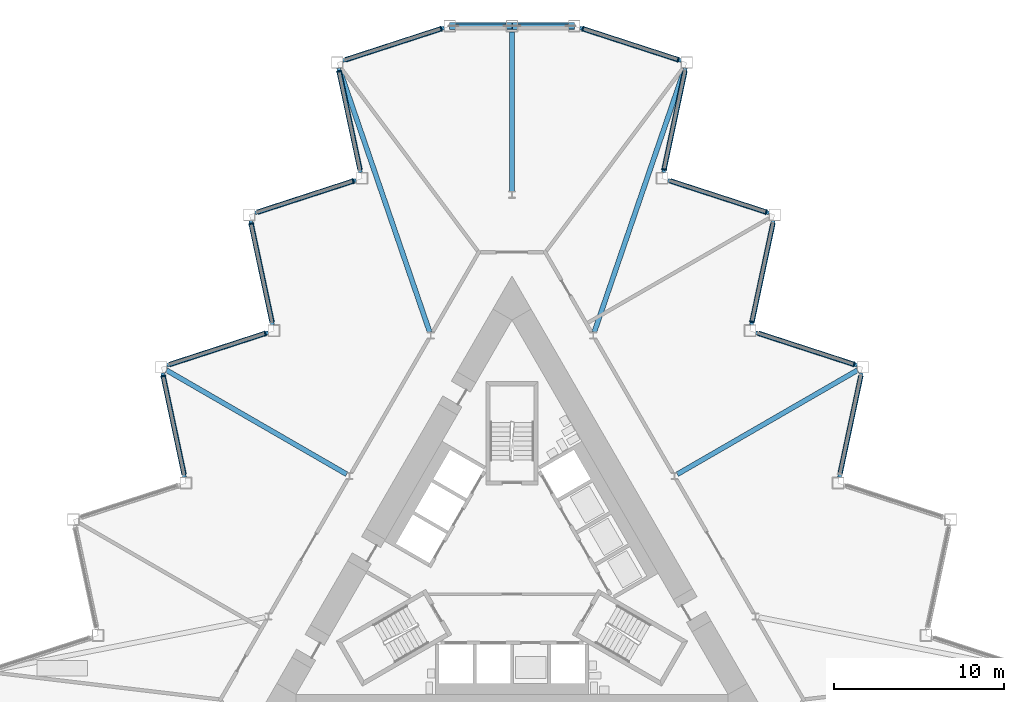
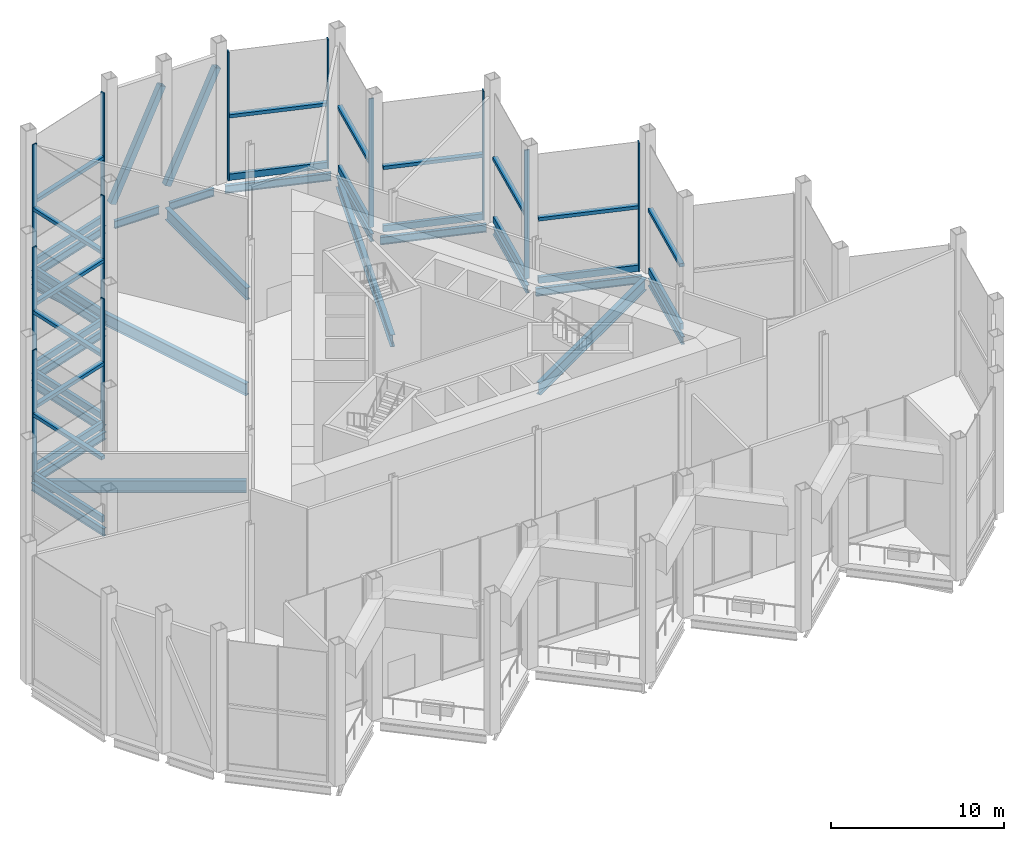
# One storey, part 6 of 17: 38 members, 19 beams, 2 elements without a shape of their own.
"""IFC4 building model written with IfcOpenShell, lengths in metres."""

from ifc_helpers import new_model, si_unit, direction, frame, origin, origin_2d, place, context, subcontext, project, spatial, rectangle, hollow_rectangle, i_section, extrude, material, layer, layer_set, material_profile, profile_set, type_object, element, aggregate, save


model = new_model("IFC4")

# Units and contexts
model_context = context("Model", 3, precision=1e-05, world=origin(), true_north=direction((0.0, 1.0)))
body_context = subcontext(model_context, "Body", "Model", "MODEL_VIEW")
ifc_project = project(units=[si_unit("LENGTHUNIT", "METRE"), si_unit("AREAUNIT", "SQUARE_METRE"), si_unit("VOLUMEUNIT", "CUBIC_METRE"), si_unit("PLANEANGLEUNIT", "RADIAN"), si_unit("MASSUNIT", "GRAM", prefix="KILO")], contexts=[model_context])

# Site, building, storey
site_placement = place(None, origin())
site = spatial("IfcSite", under=ifc_project, at=site_placement, CompositionType="ELEMENT")
building_placement = place(site_placement, origin())
building = spatial("IfcBuilding", under=site, at=building_placement, Name="Cormorant Prow Tower", CompositionType="ELEMENT")
storey_placement = place(building_placement, frame((0.0, 0.0, 277.800048828125)))
storey = spatial("IfcBuildingStorey", under=building, at=storey_placement, Name="L63", CompositionType="ELEMENT", Elevation=277.800048828125)

# Members
ifc_material_1 = material(Name="Structural steel ASTM A500 Gr C", Category="steel")
ifc_material_profile_1 = material_profile(ifc_material_1, hollow_rectangle(XDim=0.406494140625, YDim=0.406494140625, WallThickness=0.01171875, at=origin_2d()), Name="HSS16x16x1/2")
ifc_profile_set_1 = profile_set([ifc_material_profile_1], Name="Structural steel ASTM A500 Gr C")
member_type_1 = type_object("IfcMemberType", Name="Chamfer brace HSS16x16x1/2", PredefinedType="BRACE", material=ifc_profile_set_1)
for number, where, z_axis, x_axis, name in (
    (1, (0.16650390625, 32.073486328125, 0.958251953125), (0.421300546868, 0.0, 0.906921082128), (0.0, 1.0, 0.0), "Chamfer brace BR2 at N00 L63"),
    (2, (-3.50390625, 32.073486328125, 0.958251953125), (0.421300546868, 0.0, 0.906921082128), (0.0, 1.0, 0.0), "Chamfer brace BR2 at N01 L63"),
):
    element("IfcMember", number, at=place(storey_placement, frame(where, z_axis=z_axis, x_axis=x_axis)), inside=storey, type_object=member_type_1, Name=name, PredefinedType="BRACE", context=body_context, shape_type="SweptSolid", body=[
        extrude(hollow_rectangle(XDim=0.406494140625, YDim=0.406494140625, WallThickness=0.01171875, at=origin_2d()), origin(), (0.0, 0.0, 1.0), 7.921630859375),
    ])

# Beams
ifc_material_2 = material(Name="Structural steel ASTM A992 Gr 50", Category="steel")
ifc_material_profile_2 = material_profile(ifc_material_2, i_section(OverallWidth=0.29296875, OverallDepth=0.845703125, WebThickness=0.015380859375, FlangeThickness=0.0244140625, at=origin_2d()), Name="W33x141")
ifc_profile_set_2 = profile_set([ifc_material_profile_2], Name="Structural steel ASTM A992 Gr 50")
beam_type_1 = type_object("IfcBeamType", Name="Radial floor beam W33x141", PredefinedType="BEAM", material=ifc_profile_set_2)
beam_1_placement = place(storey_placement, frame((0.0, 22.320068359375, -0.77294921875), z_axis=(0.0, 1.0, 0.0), x_axis=(-1.0, 0.0, 0.0)))
element("IfcBeam", 3, at=beam_1_placement, inside=storey, type_object=beam_type_1, Name="Radial floor beam FB2 1 L63", PredefinedType="BEAM", context=body_context, shape_type="SweptSolid", body=[
    extrude(i_section(OverallWidth=0.29296875, OverallDepth=0.845703125, WebThickness=0.015380859375, FlangeThickness=0.0244140625, at=origin_2d()), origin(), (0.0, 0.0, 1.0), 9.4033203125),
])
beam_2_placement = place(storey_placement, frame((-4.85400390625, 14.013916015625, -0.77294921875), z_axis=(-0.324535507117, 0.945873514071, 0.0), x_axis=(-0.945873514071, -0.324535507117, 0.0)))
element("IfcBeam", 4, at=beam_2_placement, inside=storey, type_object=beam_type_1, Name="Radial floor beam FB2 2 L63", PredefinedType="BEAM", context=body_context, shape_type="SweptSolid", body=[
    extrude(i_section(OverallWidth=0.29296875, OverallDepth=0.845703125, WebThickness=0.015380859375, FlangeThickness=0.0244140625, at=origin_2d()), origin(), (0.0, 0.0, 1.0), 16.462158203125),
])
for number, where, z_axis, x_axis, name in (
    (5, (-9.751220703125, 5.6298828125, -0.77294921875), (-0.866021995826, 0.500005902711, 0.0), (-0.500005902711, -0.866021995826, 0.0), "Radial floor beam FB2 3 L63"),
    (6, (9.751220703125, 5.6298828125, -0.77294921875), (0.866021995826, 0.500005902711, 0.0), (-0.500005902711, 0.866021995826, 0.0), "Radial floor beam FB2 11 L63"),
):
    element("IfcBeam", number, at=place(storey_placement, frame(where, z_axis=z_axis, x_axis=x_axis)), inside=storey, type_object=beam_type_1, Name=name, PredefinedType="BEAM", context=body_context, shape_type="SweptSolid", body=[
        extrude(i_section(OverallWidth=0.29296875, OverallDepth=0.845703125, WebThickness=0.015380859375, FlangeThickness=0.0244140625, at=origin_2d()), origin(), (0.0, 0.0, 1.0), 12.277099609375),
    ])
beam_3_placement = place(storey_placement, frame((4.85400390625, 14.013916015625, -0.77294921875), z_axis=(0.324535507117, 0.945873514071, 0.0), x_axis=(-0.945873514071, 0.324535507117, 0.0)))
element("IfcBeam", 7, at=beam_3_placement, inside=storey, type_object=beam_type_1, Name="Radial floor beam FB2 12 L63", PredefinedType="BEAM", context=body_context, shape_type="SweptSolid", body=[
    extrude(i_section(OverallWidth=0.29296875, OverallDepth=0.845703125, WebThickness=0.015380859375, FlangeThickness=0.0244140625, at=origin_2d()), origin(), (0.0, 0.0, 1.0), 16.462158203125),
])

# Curtain wall, members
ifc_material_3 = material(Name="Aluminium 6063-T6", Category="aluminium")
ifc_layer = layer(ifc_material_3, 0.300048828125)
ifc_layer_set = layer_set([ifc_layer], Name="Aluminium 6063-T6")
curtain_wall_type = type_object("IfcCurtainWallType", Name="Sky lobby unitised curtain wall 300", PredefinedType="NOTDEFINED", material=ifc_layer_set)
curtain_wall_1_placement = place(storey_placement, origin())
curtain_wall_1 = element("IfcCurtainWall", 8, at=curtain_wall_1_placement, inside=storey, type_object=curtain_wall_type, Name="Sky lobby curtain wall ENE00-ENE09", PredefinedType="NOTDEFINED")
ifc_material_4 = material(Name="Aluminium 6063-T6", Category="aluminium")
ifc_material_profile_3 = material_profile(ifc_material_4, rectangle(XDim=0.300048828125, YDim=0.239990234375, at=origin_2d()), Name="Sky lobby intermediate transom 300x240")
ifc_profile_set_3 = profile_set([ifc_material_profile_3], Name="Aluminium 6063-T6")
member_type_2 = type_object("IfcMemberType", Name="Sky lobby intermediate transom 300x240", PredefinedType="USERDEFINED", material=ifc_profile_set_3)
member_1_placement = place(storey_placement, frame((19.35595703125, 5.682861328125, 4.550537109375), z_axis=(0.207912209842, 0.978147490412, 0.0), x_axis=(-0.978147490412, 0.207912209842, 0.0)))
member_1 = element("IfcMember", 9, at=member_1_placement, type_object=member_type_2, Name="Sky lobby intermediate transom ENE00-ENE09", ObjectType="TRANSOM", PredefinedType="USERDEFINED", context=body_context, shape_type="SweptSolid", body=[
    extrude(rectangle(XDim=0.300048828125, YDim=0.239990234375, at=origin_2d()), origin(), (0.0, 0.0, 1.0), 5.8994140625),
])
member_2_placement = place(storey_placement, frame((20.134033203125, 12.123046875, 4.550537109375), z_axis=(-0.951056267438, 0.309017760278, 0.0), x_axis=(-0.309017760278, -0.951056267438, 0.0)))
member_2 = element("IfcMember", 10, at=member_2_placement, type_object=member_type_2, Name="Sky lobby intermediate transom ENE00-ENE09", ObjectType="TRANSOM", PredefinedType="USERDEFINED", context=body_context, shape_type="SweptSolid", body=[
    extrude(rectangle(XDim=0.300048828125, YDim=0.239990234375, at=origin_2d()), origin(), (0.0, 0.0, 1.0), 5.8994140625),
])
member_3_placement = place(storey_placement, frame((14.167724609375, 14.669189453125, 4.550537109375), z_axis=(0.207912209842, 0.978147490412, 0.0), x_axis=(-0.978147490412, 0.207912209842, 0.0)))
member_3 = element("IfcMember", 11, at=member_3_placement, type_object=member_type_2, Name="Sky lobby intermediate transom ENE00-ENE09", ObjectType="TRANSOM", PredefinedType="USERDEFINED", context=body_context, shape_type="SweptSolid", body=[
    extrude(rectangle(XDim=0.300048828125, YDim=0.239990234375, at=origin_2d()), origin(), (0.0, 0.0, 1.0), 5.8994140625),
])
member_4_placement = place(storey_placement, frame((14.94580078125, 21.109375, 4.550537109375), z_axis=(-0.951056267438, 0.309017760278, 0.0), x_axis=(-0.309017760278, -0.951056267438, 0.0)))
member_4 = element("IfcMember", 12, at=member_4_placement, type_object=member_type_2, Name="Sky lobby intermediate transom ENE00-ENE09", ObjectType="TRANSOM", PredefinedType="USERDEFINED", context=body_context, shape_type="SweptSolid", body=[
    extrude(rectangle(XDim=0.300048828125, YDim=0.239990234375, at=origin_2d()), origin(), (0.0, 0.0, 1.0), 5.8994140625),
])
member_5_placement = place(storey_placement, frame((8.9794921875, 23.655517578125, 4.550537109375), z_axis=(0.207912209842, 0.978147490412, 0.0), x_axis=(-0.978147490412, 0.207912209842, 0.0)))
member_5 = element("IfcMember", 13, at=member_5_placement, type_object=member_type_2, Name="Sky lobby intermediate transom ENE00-ENE09", ObjectType="TRANSOM", PredefinedType="USERDEFINED", context=body_context, shape_type="SweptSolid", body=[
    extrude(rectangle(XDim=0.300048828125, YDim=0.239990234375, at=origin_2d()), origin(), (0.0, 0.0, 1.0), 5.8994140625),
])
member_6_placement = place(storey_placement, frame((9.757568359375, 30.095703125, 4.550537109375), z_axis=(-0.951067976165, 0.308981722296, 0.0), x_axis=(-0.308981722296, -0.951067976165, 0.0)))
member_6 = element("IfcMember", 14, at=member_6_placement, type_object=member_type_2, Name="Sky lobby intermediate transom ENE00-ENE09", ObjectType="TRANSOM", PredefinedType="USERDEFINED", context=body_context, shape_type="SweptSolid", body=[
    extrude(rectangle(XDim=0.300048828125, YDim=0.239990234375, at=origin_2d()), origin(), (0.0, 0.0, 1.0), 5.8193359375),
])

curtain_wall_2_placement = place(storey_placement, origin())
curtain_wall_2 = element("IfcCurtainWall", 15, at=curtain_wall_2_placement, inside=storey, type_object=curtain_wall_type, Name="Sky lobby curtain wall WNW00-WNW09", PredefinedType="NOTDEFINED")
member_7_placement = place(storey_placement, frame((-4.222900390625, 31.893798828125, 4.550537109375), z_axis=(-0.951060219088, -0.309005598117, 0.0), x_axis=(0.309005598117, -0.951060219088, 0.0)))
member_7 = element("IfcMember", 16, at=member_7_placement, type_object=member_type_2, Name="Sky lobby intermediate transom WNW00-WNW09", ObjectType="TRANSOM", PredefinedType="USERDEFINED", context=body_context, shape_type="SweptSolid", body=[
    extrude(rectangle(XDim=0.300048828125, YDim=0.239990234375, at=origin_2d()), origin(), (0.0, 0.0, 1.0), 5.899658203125),
])
member_8_placement = place(storey_placement, frame((-10.189453125, 29.34765625, 4.550537109375), z_axis=(0.207912209842, -0.978147490412, 0.0), x_axis=(0.978147490412, 0.207912209842, 0.0)))
member_8 = element("IfcMember", 17, at=member_8_placement, type_object=member_type_2, Name="Sky lobby intermediate transom WNW00-WNW09", ObjectType="TRANSOM", PredefinedType="USERDEFINED", context=body_context, shape_type="SweptSolid", body=[
    extrude(rectangle(XDim=0.300048828125, YDim=0.239990234375, at=origin_2d()), origin(), (0.0, 0.0, 1.0), 5.8994140625),
])
member_9_placement = place(storey_placement, frame((-9.4111328125, 22.90771484375, 4.550537109375), z_axis=(-0.9510480568, -0.309043028813, 0.0), x_axis=(0.309043028813, -0.9510480568, 0.0)))
member_9 = element("IfcMember", 18, at=member_9_placement, type_object=member_type_2, Name="Sky lobby intermediate transom WNW00-WNW09", ObjectType="TRANSOM", PredefinedType="USERDEFINED", context=body_context, shape_type="SweptSolid", body=[
    extrude(rectangle(XDim=0.300048828125, YDim=0.239990234375, at=origin_2d()), origin(), (0.0, 0.0, 1.0), 5.899658203125),
])
member_10_placement = place(storey_placement, frame((-15.377685546875, 20.361328125, 4.550537109375), z_axis=(0.207912209842, -0.978147490412, 0.0), x_axis=(0.978147490412, 0.207912209842, 0.0)))
member_10 = element("IfcMember", 19, at=member_10_placement, type_object=member_type_2, Name="Sky lobby intermediate transom WNW00-WNW09", ObjectType="TRANSOM", PredefinedType="USERDEFINED", context=body_context, shape_type="SweptSolid", body=[
    extrude(rectangle(XDim=0.300048828125, YDim=0.239990234375, at=origin_2d()), origin(), (0.0, 0.0, 1.0), 5.8994140625),
])
member_11_placement = place(storey_placement, frame((-14.599365234375, 13.92138671875, 4.550537109375), z_axis=(-0.951060219088, -0.309005598117, 0.0), x_axis=(0.309005598117, -0.951060219088, 0.0)))
member_11 = element("IfcMember", 20, at=member_11_placement, type_object=member_type_2, Name="Sky lobby intermediate transom WNW00-WNW09", ObjectType="TRANSOM", PredefinedType="USERDEFINED", context=body_context, shape_type="SweptSolid", body=[
    extrude(rectangle(XDim=0.300048828125, YDim=0.239990234375, at=origin_2d()), origin(), (0.0, 0.0, 1.0), 5.899658203125),
])
member_12_placement = place(storey_placement, frame((-20.56591796875, 11.375244140625, 4.550537109375), z_axis=(0.207903794001, -0.978149279221, 0.0), x_axis=(0.978149279221, 0.207903794001, 0.0)))
member_12 = element("IfcMember", 21, at=member_12_placement, type_object=member_type_2, Name="Sky lobby intermediate transom WNW00-WNW09", ObjectType="TRANSOM", PredefinedType="USERDEFINED", context=body_context, shape_type="SweptSolid", body=[
    extrude(rectangle(XDim=0.300048828125, YDim=0.239990234375, at=origin_2d()), origin(), (0.0, 0.0, 1.0), 5.899658203125),
])

# Member
ifc_material_5 = material(Name="Aluminium 6063-T6", Category="aluminium")
ifc_material_profile_4 = material_profile(ifc_material_5, rectangle(XDim=0.300048828125, YDim=0.080078125, at=origin_2d()), Name="Sky lobby mullion 80x300")
ifc_profile_set_4 = profile_set([ifc_material_profile_4], Name="Aluminium 6063-T6")
member_type_3 = type_object("IfcMemberType", Name="Sky lobby mullion 80x300", PredefinedType="MULLION", material=ifc_profile_set_4)
member_13_placement = place(storey_placement, frame((20.172119140625, 12.110595703125, 0.0), z_axis=(0.0, 0.0, 1.0), x_axis=(-0.309016984432, -0.951056519526, 0.0)))
member_13 = element("IfcMember", 22, at=member_13_placement, type_object=member_type_3, Name="Sky lobby mullion ENE00-ENE09", PredefinedType="MULLION", context=body_context, shape_type="SweptSolid", body=[
    extrude(rectangle(XDim=0.300048828125, YDim=0.080078125, at=origin_2d()), origin(), (0.0, 0.0, 1.0), 9.100830078125),
])

member_14_placement = place(storey_placement, frame((14.159423828125, 14.630126953125, 0.0), z_axis=(0.0, 0.0, 1.0), x_axis=(-0.97814760486, 0.207911671407, 0.0)))
member_14 = element("IfcMember", 23, at=member_14_placement, type_object=member_type_3, Name="Sky lobby mullion ENE00-ENE09", PredefinedType="MULLION", context=body_context, shape_type="SweptSolid", body=[
    extrude(rectangle(XDim=0.300048828125, YDim=0.080078125, at=origin_2d()), origin(), (0.0, 0.0, 1.0), 9.100830078125),
])

member_15_placement = place(storey_placement, frame((14.98388671875, 21.096923828125, 0.0), z_axis=(0.0, 0.0, 1.0), x_axis=(-0.309017071893, -0.951056491108, 0.0)))
member_15 = element("IfcMember", 24, at=member_15_placement, type_object=member_type_3, Name="Sky lobby mullion ENE00-ENE09", PredefinedType="MULLION", context=body_context, shape_type="SweptSolid", body=[
    extrude(rectangle(XDim=0.300048828125, YDim=0.080078125, at=origin_2d()), origin(), (0.0, 0.0, 1.0), 9.100830078125),
])

member_16_placement = place(storey_placement, frame((8.97119140625, 23.6162109375, 0.0), z_axis=(0.0, 0.0, 1.0), x_axis=(-0.97814760486, 0.207911671407, 0.0)))
member_16 = element("IfcMember", 25, at=member_16_placement, type_object=member_type_3, Name="Sky lobby mullion ENE00-ENE09", PredefinedType="MULLION", context=body_context, shape_type="SweptSolid", body=[
    extrude(rectangle(XDim=0.300048828125, YDim=0.080078125, at=origin_2d()), origin(), (0.0, 0.0, 1.0), 9.100830078125),
])

member_17_placement = place(storey_placement, frame((9.795654296875, 30.083251953125, 0.0), z_axis=(0.0, 0.0, 1.0), x_axis=(-0.309016942337, -0.951056533203, 0.0)))
member_17 = element("IfcMember", 26, at=member_17_placement, type_object=member_type_3, Name="Sky lobby mullion ENE00-ENE09", PredefinedType="MULLION", context=body_context, shape_type="SweptSolid", body=[
    extrude(rectangle(XDim=0.300048828125, YDim=0.080078125, at=origin_2d()), origin(), (0.0, 0.0, 1.0), 9.100830078125),
])

member_18_placement = place(storey_placement, frame((4.18505859375, 31.90625, 0.0), z_axis=(0.0, 0.0, 1.0), x_axis=(-0.309016942337, -0.951056533203, 0.0)))
member_18 = element("IfcMember", 27, at=member_18_placement, type_object=member_type_3, Name="Sky lobby mullion ENE00-ENE09", PredefinedType="MULLION", context=body_context, shape_type="SweptSolid", body=[
    extrude(rectangle(XDim=0.300048828125, YDim=0.080078125, at=origin_2d()), origin(), (0.0, 0.0, 1.0), 9.100830078125),
])

member_19_placement = place(storey_placement, frame((-4.18505859375, 31.90625, 0.0), z_axis=(0.0, 0.0, 1.0), x_axis=(0.309016942337, -0.951056533203, 0.0)))
member_19 = element("IfcMember", 28, at=member_19_placement, type_object=member_type_3, Name="Sky lobby mullion WNW00-WNW09", PredefinedType="MULLION", context=body_context, shape_type="SweptSolid", body=[
    extrude(rectangle(XDim=0.300048828125, YDim=0.080078125, at=origin_2d()), origin(), (0.0, 0.0, 1.0), 9.100830078125),
])

member_20_placement = place(storey_placement, frame((-10.19775390625, 29.386962890625, 0.0), z_axis=(0.0, 0.0, 1.0), x_axis=(0.97814760486, 0.207911671407, 0.0)))
member_20 = element("IfcMember", 29, at=member_20_placement, type_object=member_type_3, Name="Sky lobby mullion WNW00-WNW09", PredefinedType="MULLION", context=body_context, shape_type="SweptSolid", body=[
    extrude(rectangle(XDim=0.300048828125, YDim=0.080078125, at=origin_2d()), origin(), (0.0, 0.0, 1.0), 9.100830078125),
])

member_21_placement = place(storey_placement, frame((-9.373291015625, 22.919921875, 0.0), z_axis=(0.0, 0.0, 1.0), x_axis=(0.309017071893, -0.951056491108, 0.0)))
member_21 = element("IfcMember", 30, at=member_21_placement, type_object=member_type_3, Name="Sky lobby mullion WNW00-WNW09", PredefinedType="MULLION", context=body_context, shape_type="SweptSolid", body=[
    extrude(rectangle(XDim=0.300048828125, YDim=0.080078125, at=origin_2d()), origin(), (0.0, 0.0, 1.0), 9.100830078125),
])

member_22_placement = place(storey_placement, frame((-15.385986328125, 20.400634765625, 0.0), z_axis=(0.0, 0.0, 1.0), x_axis=(0.97814760486, 0.207911671407, 0.0)))
member_22 = element("IfcMember", 31, at=member_22_placement, type_object=member_type_3, Name="Sky lobby mullion WNW00-WNW09", PredefinedType="MULLION", context=body_context, shape_type="SweptSolid", body=[
    extrude(rectangle(XDim=0.300048828125, YDim=0.080078125, at=origin_2d()), origin(), (0.0, 0.0, 1.0), 9.100830078125),
])

member_23_placement = place(storey_placement, frame((-14.5615234375, 13.93359375, 0.0), z_axis=(0.0, 0.0, 1.0), x_axis=(0.309016984432, -0.951056519526, 0.0)))
member_23 = element("IfcMember", 32, at=member_23_placement, type_object=member_type_3, Name="Sky lobby mullion WNW00-WNW09", PredefinedType="MULLION", context=body_context, shape_type="SweptSolid", body=[
    extrude(rectangle(XDim=0.300048828125, YDim=0.080078125, at=origin_2d()), origin(), (0.0, 0.0, 1.0), 9.100830078125),
])

member_24_placement = place(storey_placement, frame((-20.57421875, 11.414306640625, 0.0), z_axis=(0.0, 0.0, 1.0), x_axis=(0.97814760486, 0.207911671407, 0.0)))
member_24 = element("IfcMember", 33, at=member_24_placement, type_object=member_type_3, Name="Sky lobby mullion WNW00-WNW09", PredefinedType="MULLION", context=body_context, shape_type="SweptSolid", body=[
    extrude(rectangle(XDim=0.300048828125, YDim=0.080078125, at=origin_2d()), origin(), (0.0, 0.0, 1.0), 9.100830078125),
])

ifc_material_6 = material(Name="Terracotta", Category="masonry")
ifc_material_profile_5 = material_profile(ifc_material_6, rectangle(XDim=0.219970703125, YDim=0.449951171875, at=origin_2d()), Name="Sky lobby terracotta spandrel rail 220x450")
ifc_profile_set_5 = profile_set([ifc_material_profile_5], Name="Terracotta")
member_type_4 = type_object("IfcMemberType", Name="Sky lobby terracotta spandrel rail 220x450", PredefinedType="USERDEFINED", material=ifc_profile_set_5)
member_25_placement = place(storey_placement, frame((19.35595703125, 5.682861328125, 0.224853515625), z_axis=(0.207912209842, 0.978147490412, 0.0), x_axis=(-0.978147490412, 0.207912209842, 0.0)))
member_25 = element("IfcMember", 34, at=member_25_placement, type_object=member_type_4, Name="Sky lobby spandrel rail ENE00-ENE09", ObjectType="TRANSOM", PredefinedType="USERDEFINED", context=body_context, shape_type="SweptSolid", body=[
    extrude(rectangle(XDim=0.219970703125, YDim=0.449951171875, at=origin_2d()), origin(), (0.0, 0.0, 1.0), 5.8994140625),
])

member_26_placement = place(storey_placement, frame((20.134033203125, 12.123046875, 0.224853515625), z_axis=(-0.951056267438, 0.309017760278, 0.0), x_axis=(-0.309017760278, -0.951056267438, 0.0)))
member_26 = element("IfcMember", 35, at=member_26_placement, type_object=member_type_4, Name="Sky lobby spandrel rail ENE00-ENE09", ObjectType="TRANSOM", PredefinedType="USERDEFINED", context=body_context, shape_type="SweptSolid", body=[
    extrude(rectangle(XDim=0.219970703125, YDim=0.449951171875, at=origin_2d()), origin(), (0.0, 0.0, 1.0), 5.8994140625),
])

member_27_placement = place(storey_placement, frame((14.167724609375, 14.669189453125, 0.224853515625), z_axis=(0.207912209842, 0.978147490412, 0.0), x_axis=(-0.978147490412, 0.207912209842, 0.0)))
member_27 = element("IfcMember", 36, at=member_27_placement, type_object=member_type_4, Name="Sky lobby spandrel rail ENE00-ENE09", ObjectType="TRANSOM", PredefinedType="USERDEFINED", context=body_context, shape_type="SweptSolid", body=[
    extrude(rectangle(XDim=0.219970703125, YDim=0.449951171875, at=origin_2d()), origin(), (0.0, 0.0, 1.0), 5.8994140625),
])

member_28_placement = place(storey_placement, frame((14.94580078125, 21.109375, 0.224853515625), z_axis=(-0.951056267438, 0.309017760278, 0.0), x_axis=(-0.309017760278, -0.951056267438, 0.0)))
member_28 = element("IfcMember", 37, at=member_28_placement, type_object=member_type_4, Name="Sky lobby spandrel rail ENE00-ENE09", ObjectType="TRANSOM", PredefinedType="USERDEFINED", context=body_context, shape_type="SweptSolid", body=[
    extrude(rectangle(XDim=0.219970703125, YDim=0.449951171875, at=origin_2d()), origin(), (0.0, 0.0, 1.0), 5.8994140625),
])

member_29_placement = place(storey_placement, frame((8.9794921875, 23.655517578125, 0.224853515625), z_axis=(0.207912209842, 0.978147490412, 0.0), x_axis=(-0.978147490412, 0.207912209842, 0.0)))
member_29 = element("IfcMember", 38, at=member_29_placement, type_object=member_type_4, Name="Sky lobby spandrel rail ENE00-ENE09", ObjectType="TRANSOM", PredefinedType="USERDEFINED", context=body_context, shape_type="SweptSolid", body=[
    extrude(rectangle(XDim=0.219970703125, YDim=0.449951171875, at=origin_2d()), origin(), (0.0, 0.0, 1.0), 5.8994140625),
])

member_30_placement = place(storey_placement, frame((9.757568359375, 30.095703125, 0.224853515625), z_axis=(-0.951067976165, 0.308981722296, 0.0), x_axis=(-0.308981722296, -0.951067976165, 0.0)))
member_30 = element("IfcMember", 39, at=member_30_placement, type_object=member_type_4, Name="Sky lobby spandrel rail ENE00-ENE09", ObjectType="TRANSOM", PredefinedType="USERDEFINED", context=body_context, shape_type="SweptSolid", body=[
    extrude(rectangle(XDim=0.219970703125, YDim=0.449951171875, at=origin_2d()), origin(), (0.0, 0.0, 1.0), 5.8193359375),
])

aggregate(curtain_wall_1, [member_25, member_1, member_13, member_26, member_2, member_14, member_27, member_3, member_15, member_28, member_4, member_16, member_29, member_5, member_17, member_18, member_30, member_6])

member_31_placement = place(storey_placement, frame((-4.222900390625, 31.893798828125, 0.224853515625), z_axis=(-0.951060219088, -0.309005598117, 0.0), x_axis=(0.309005598117, -0.951060219088, 0.0)))
member_31 = element("IfcMember", 40, at=member_31_placement, type_object=member_type_4, Name="Sky lobby spandrel rail WNW00-WNW09", ObjectType="TRANSOM", PredefinedType="USERDEFINED", context=body_context, shape_type="SweptSolid", body=[
    extrude(rectangle(XDim=0.219970703125, YDim=0.449951171875, at=origin_2d()), origin(), (0.0, 0.0, 1.0), 5.899658203125),
])

member_32_placement = place(storey_placement, frame((-10.189453125, 29.34765625, 0.224853515625), z_axis=(0.207912209842, -0.978147490412, 0.0), x_axis=(0.978147490412, 0.207912209842, 0.0)))
member_32 = element("IfcMember", 41, at=member_32_placement, type_object=member_type_4, Name="Sky lobby spandrel rail WNW00-WNW09", ObjectType="TRANSOM", PredefinedType="USERDEFINED", context=body_context, shape_type="SweptSolid", body=[
    extrude(rectangle(XDim=0.219970703125, YDim=0.449951171875, at=origin_2d()), origin(), (0.0, 0.0, 1.0), 5.8994140625),
])

member_33_placement = place(storey_placement, frame((-9.4111328125, 22.90771484375, 0.224853515625), z_axis=(-0.9510480568, -0.309043028813, 0.0), x_axis=(0.309043028813, -0.9510480568, 0.0)))
member_33 = element("IfcMember", 42, at=member_33_placement, type_object=member_type_4, Name="Sky lobby spandrel rail WNW00-WNW09", ObjectType="TRANSOM", PredefinedType="USERDEFINED", context=body_context, shape_type="SweptSolid", body=[
    extrude(rectangle(XDim=0.219970703125, YDim=0.449951171875, at=origin_2d()), origin(), (0.0, 0.0, 1.0), 5.899658203125),
])

member_34_placement = place(storey_placement, frame((-15.377685546875, 20.361328125, 0.224853515625), z_axis=(0.207912209842, -0.978147490412, 0.0), x_axis=(0.978147490412, 0.207912209842, 0.0)))
member_34 = element("IfcMember", 43, at=member_34_placement, type_object=member_type_4, Name="Sky lobby spandrel rail WNW00-WNW09", ObjectType="TRANSOM", PredefinedType="USERDEFINED", context=body_context, shape_type="SweptSolid", body=[
    extrude(rectangle(XDim=0.219970703125, YDim=0.449951171875, at=origin_2d()), origin(), (0.0, 0.0, 1.0), 5.8994140625),
])

member_35_placement = place(storey_placement, frame((-14.599365234375, 13.92138671875, 0.224853515625), z_axis=(-0.951060219088, -0.309005598117, 0.0), x_axis=(0.309005598117, -0.951060219088, 0.0)))
member_35 = element("IfcMember", 44, at=member_35_placement, type_object=member_type_4, Name="Sky lobby spandrel rail WNW00-WNW09", ObjectType="TRANSOM", PredefinedType="USERDEFINED", context=body_context, shape_type="SweptSolid", body=[
    extrude(rectangle(XDim=0.219970703125, YDim=0.449951171875, at=origin_2d()), origin(), (0.0, 0.0, 1.0), 5.899658203125),
])

member_36_placement = place(storey_placement, frame((-20.56591796875, 11.375244140625, 0.224853515625), z_axis=(0.207903794001, -0.978149279221, 0.0), x_axis=(0.978149279221, 0.207903794001, 0.0)))
member_36 = element("IfcMember", 45, at=member_36_placement, type_object=member_type_4, Name="Sky lobby spandrel rail WNW00-WNW09", ObjectType="TRANSOM", PredefinedType="USERDEFINED", context=body_context, shape_type="SweptSolid", body=[
    extrude(rectangle(XDim=0.219970703125, YDim=0.449951171875, at=origin_2d()), origin(), (0.0, 0.0, 1.0), 5.899658203125),
])

aggregate(curtain_wall_2, [member_19, member_31, member_7, member_20, member_32, member_8, member_21, member_33, member_9, member_22, member_34, member_10, member_23, member_35, member_11, member_24, member_36, member_12])

# Beams
ifc_material_7 = material(Name="Structural steel ASTM A992 Gr 50", Category="steel")
ifc_material_profile_6 = material_profile(ifc_material_7, i_section(OverallWidth=0.2138671875, OverallDepth=0.549072265625, WebThickness=0.0146484375, FlangeThickness=0.023681640625, at=origin_2d()), Name="W21x93")
ifc_profile_set_6 = profile_set([ifc_material_profile_6], Name="Structural steel ASTM A992 Gr 50")
beam_type_2 = type_object("IfcBeamType", Name="Spandrel beam W21x93", PredefinedType="SPANDREL", material=ifc_profile_set_6)
beam_4_placement = place(storey_placement, frame((19.307861328125, 5.456787109375, -0.62451171875), z_axis=(0.207933593793, 0.978142944856, 0.0), x_axis=(-0.978142944856, 0.207933593793, 0.0)))
element("IfcBeam", 46, at=beam_4_placement, inside=storey, type_object=beam_type_2, Name="Spandrel beam SB2 ENE04-ENE05 L63", PredefinedType="SPANDREL", context=body_context, shape_type="SweptSolid", body=[
    extrude(i_section(OverallWidth=0.2138671875, OverallDepth=0.549072265625, WebThickness=0.0146484375, FlangeThickness=0.023681640625, at=origin_2d()), origin(), (0.0, 0.0, 1.0), 6.281494140625),
])
beam_5_placement = place(storey_placement, frame((20.353759765625, 12.051513671875, -0.62451171875), z_axis=(-0.951050348284, 0.309035976918, 0.0), x_axis=(-0.309035976918, -0.951050348284, 0.0)))
element("IfcBeam", 47, at=beam_5_placement, inside=storey, type_object=beam_type_2, Name="Spandrel beam SB2 ENE05-ENE06 L63", PredefinedType="SPANDREL", context=body_context, shape_type="SweptSolid", body=[
    extrude(i_section(OverallWidth=0.2138671875, OverallDepth=0.549072265625, WebThickness=0.0146484375, FlangeThickness=0.023681640625, at=origin_2d()), origin(), (0.0, 0.0, 1.0), 6.28125),
])
beam_6_placement = place(storey_placement, frame((14.11962890625, 14.443115234375, -0.62451171875), z_axis=(0.207933593793, 0.978142944856, 0.0), x_axis=(-0.978142944856, 0.207933593793, 0.0)))
element("IfcBeam", 48, at=beam_6_placement, inside=storey, type_object=beam_type_2, Name="Spandrel beam SB2 ENE06-ENE07 L63", PredefinedType="SPANDREL", context=body_context, shape_type="SweptSolid", body=[
    extrude(i_section(OverallWidth=0.2138671875, OverallDepth=0.549072265625, WebThickness=0.0146484375, FlangeThickness=0.023681640625, at=origin_2d()), origin(), (0.0, 0.0, 1.0), 6.281494140625),
])
beam_7_placement = place(storey_placement, frame((15.16552734375, 21.037841796875, -0.62451171875), z_axis=(-0.951050348284, 0.309035976918, 0.0), x_axis=(-0.309035976918, -0.951050348284, 0.0)))
element("IfcBeam", 49, at=beam_7_placement, inside=storey, type_object=beam_type_2, Name="Spandrel beam SB2 ENE07-ENE08 L63", PredefinedType="SPANDREL", context=body_context, shape_type="SweptSolid", body=[
    extrude(i_section(OverallWidth=0.2138671875, OverallDepth=0.549072265625, WebThickness=0.0146484375, FlangeThickness=0.023681640625, at=origin_2d()), origin(), (0.0, 0.0, 1.0), 6.28125),
])
for number, where, z_axis, x_axis, name in (
    (50, (8.931396484375, 23.429443359375, -0.62451171875), (0.207896407679, 0.97815084914, 0.0), (-0.97815084914, 0.207896407679, 0.0), "Spandrel beam SB2 ENE08-ENE09 L63"),
    (51, (9.977294921875, 30.024169921875, -0.62451171875), (-0.951054060056, 0.309024553801, 0.0), (-0.309024553801, -0.951054060056, 0.0), "Spandrel beam SB2 ENE09-N00 L63"),
):
    element("IfcBeam", number, at=place(storey_placement, frame(where, z_axis=z_axis, x_axis=x_axis)), inside=storey, type_object=beam_type_2, Name=name, PredefinedType="SPANDREL", context=body_context, shape_type="SweptSolid", body=[
        extrude(i_section(OverallWidth=0.2138671875, OverallDepth=0.549072265625, WebThickness=0.0146484375, FlangeThickness=0.023681640625, at=origin_2d()), origin(), (0.0, 0.0, 1.0), 6.281494140625),
    ])
for number, where, z_axis, x_axis, name in (
    (52, (3.3203125, 32.073486328125, -0.62451171875), (-1.0, 0.0, 0.0), (0.0, -1.0, 0.0), "Spandrel beam SB2 N00-N01 L63"),
    (53, (-0.35009765625, 32.073486328125, -0.62451171875), (-1.0, 0.0, 0.0), (0.0, -1.0, 0.0), "Spandrel beam SB2 N01-WNW00 L63"),
):
    element("IfcBeam", number, at=place(storey_placement, frame(where, z_axis=z_axis, x_axis=x_axis)), inside=storey, type_object=beam_type_2, Name=name, PredefinedType="SPANDREL", context=body_context, shape_type="SweptSolid", body=[
        extrude(i_section(OverallWidth=0.2138671875, OverallDepth=0.549072265625, WebThickness=0.0146484375, FlangeThickness=0.023681640625, at=origin_2d()), origin(), (0.0, 0.0, 1.0), 2.97021484375),
    ])
for number, where, z_axis, x_axis, name in (
    (54, (-4.003173828125, 31.96533203125, -0.62451171875), (-0.951054060056, -0.309024553801, 0.0), (0.309024553801, -0.951054060056, 0.0), "Spandrel beam SB2 WNW00-WNW01 L63"),
    (55, (-10.2373046875, 29.57373046875, -0.62451171875), (0.207896407679, -0.97815084914, 0.0), (0.97815084914, 0.207896407679, 0.0), "Spandrel beam SB2 WNW01-WNW02 L63"),
):
    element("IfcBeam", number, at=place(storey_placement, frame(where, z_axis=z_axis, x_axis=x_axis)), inside=storey, type_object=beam_type_2, Name=name, PredefinedType="SPANDREL", context=body_context, shape_type="SweptSolid", body=[
        extrude(i_section(OverallWidth=0.2138671875, OverallDepth=0.549072265625, WebThickness=0.0146484375, FlangeThickness=0.023681640625, at=origin_2d()), origin(), (0.0, 0.0, 1.0), 6.281494140625),
    ])
beam_8_placement = place(storey_placement, frame((-9.191650390625, 22.97900390625, -0.62451171875), z_axis=(-0.951050348284, -0.309035976918, 0.0), x_axis=(0.309035976918, -0.951050348284, 0.0)))
element("IfcBeam", 56, at=beam_8_placement, inside=storey, type_object=beam_type_2, Name="Spandrel beam SB2 WNW02-WNW03 L63", PredefinedType="SPANDREL", context=body_context, shape_type="SweptSolid", body=[
    extrude(i_section(OverallWidth=0.2138671875, OverallDepth=0.549072265625, WebThickness=0.0146484375, FlangeThickness=0.023681640625, at=origin_2d()), origin(), (0.0, 0.0, 1.0), 6.28125),
])
beam_9_placement = place(storey_placement, frame((-15.42578125, 20.58740234375, -0.62451171875), z_axis=(0.207933593793, -0.978142944856, 0.0), x_axis=(0.978142944856, 0.207933593793, 0.0)))
element("IfcBeam", 57, at=beam_9_placement, inside=storey, type_object=beam_type_2, Name="Spandrel beam SB2 WNW03-WNW04 L63", PredefinedType="SPANDREL", context=body_context, shape_type="SweptSolid", body=[
    extrude(i_section(OverallWidth=0.2138671875, OverallDepth=0.549072265625, WebThickness=0.0146484375, FlangeThickness=0.023681640625, at=origin_2d()), origin(), (0.0, 0.0, 1.0), 6.281494140625),
])
beam_10_placement = place(storey_placement, frame((-14.3798828125, 13.99267578125, -0.62451171875), z_axis=(-0.951050348284, -0.309035976918, 0.0), x_axis=(0.309035976918, -0.951050348284, 0.0)))
element("IfcBeam", 58, at=beam_10_placement, inside=storey, type_object=beam_type_2, Name="Spandrel beam SB2 WNW04-WNW05 L63", PredefinedType="SPANDREL", context=body_context, shape_type="SweptSolid", body=[
    extrude(i_section(OverallWidth=0.2138671875, OverallDepth=0.549072265625, WebThickness=0.0146484375, FlangeThickness=0.023681640625, at=origin_2d()), origin(), (0.0, 0.0, 1.0), 6.28125),
])
beam_11_placement = place(storey_placement, frame((-20.614013671875, 11.60107421875, -0.62451171875), z_axis=(0.207933593793, -0.978142944856, 0.0), x_axis=(0.978142944856, 0.207933593793, 0.0)))
element("IfcBeam", 59, at=beam_11_placement, inside=storey, type_object=beam_type_2, Name="Spandrel beam SB2 WNW05-WNW06 L63", PredefinedType="SPANDREL", context=body_context, shape_type="SweptSolid", body=[
    extrude(i_section(OverallWidth=0.2138671875, OverallDepth=0.549072265625, WebThickness=0.0146484375, FlangeThickness=0.023681640625, at=origin_2d()), origin(), (0.0, 0.0, 1.0), 6.281494140625),
])

save(model, "model.ifc")
